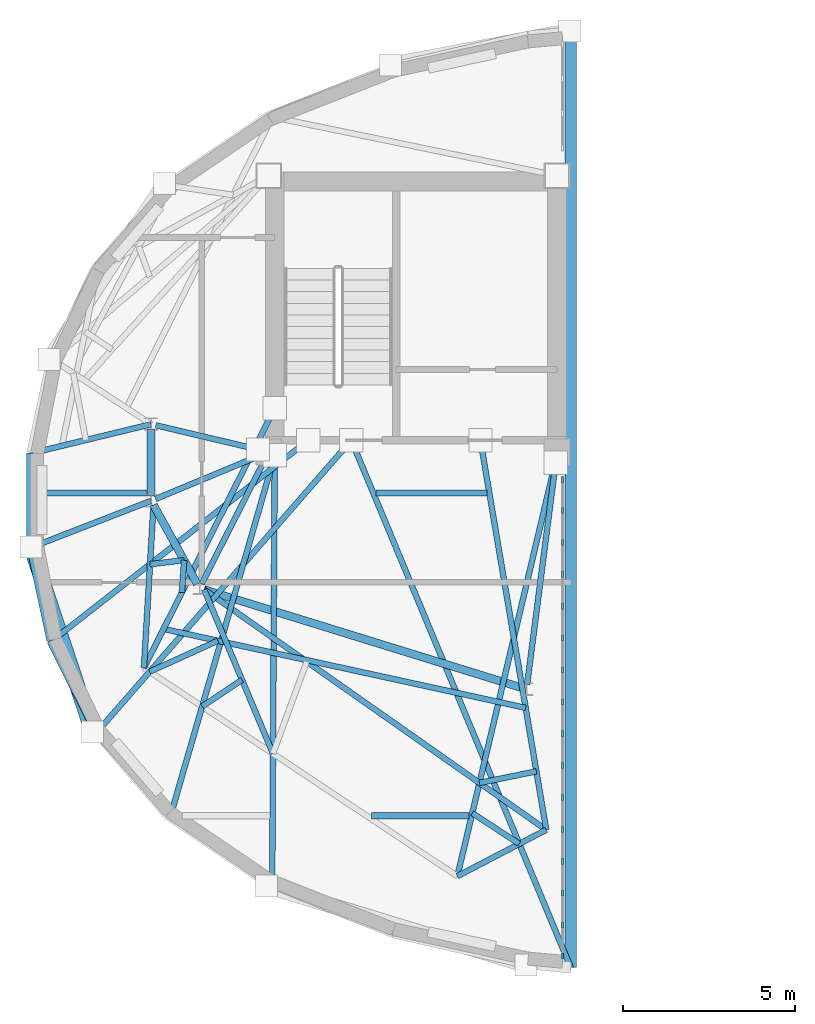
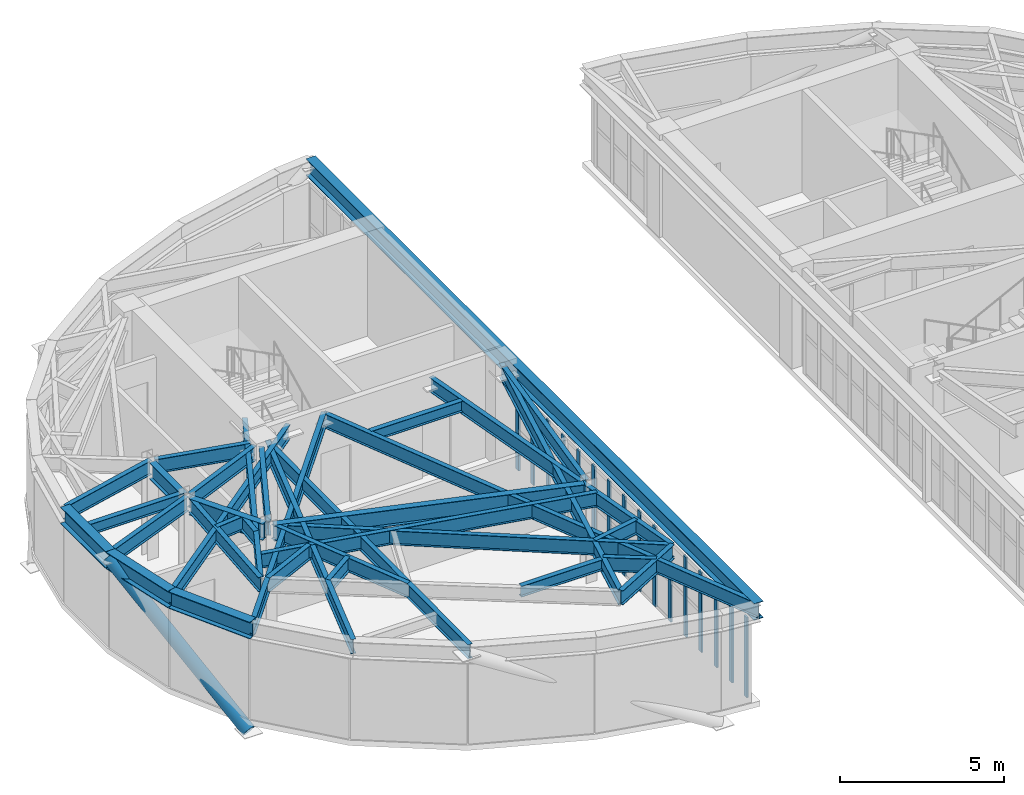
# One storey, part 2 of 13: 35 beams, 17 members, 1 element without a shape of its own.
"""IFC4 building model written with IfcOpenShell, lengths in metres."""

from ifc_helpers import new_model, si_unit, direction, frame, origin, origin_2d, place, context, subcontext, project, spatial, rectangle, hollow_circle, i_section, extrude, material, layer, layer_set, material_profile, profile_set, type_object, element, aggregate, save


model = new_model("IFC4")

# Units and contexts
model_context = context("Model", 3, precision=1e-05, world=origin(), true_north=direction((0.0, 1.0)))
body_context = subcontext(model_context, "Body", "Model", "MODEL_VIEW")
ifc_project = project(units=[si_unit("LENGTHUNIT", "METRE"), si_unit("AREAUNIT", "SQUARE_METRE"), si_unit("VOLUMEUNIT", "CUBIC_METRE"), si_unit("PLANEANGLEUNIT", "RADIAN"), si_unit("MASSUNIT", "GRAM", prefix="KILO")], contexts=[model_context])

# Site, building, storey
site_placement = place(None, origin())
site = spatial("IfcSite", under=ifc_project, at=site_placement, CompositionType="ELEMENT")
building_placement = place(site_placement, origin())
building = spatial("IfcBuilding", under=site, at=building_placement, Name="Keldmark Tower", CompositionType="ELEMENT")
storey_placement = place(building_placement, frame((0.0, 0.0, 273.0)))
storey = spatial("IfcBuildingStorey", under=building, at=storey_placement, Name="L77", CompositionType="ELEMENT", Elevation=273.0)

# Beams
ifc_material_1 = material(Name="Steel ASTM A992 Grade 50", Category="steel")
ifc_material_profile_1 = material_profile(ifc_material_1, i_section(OverallWidth=0.177978515625, OverallDepth=0.403076171875, WebThickness=0.007568359375, FlangeThickness=0.010986328125, at=origin_2d()), Name="W16X36")
ifc_profile_set_1 = profile_set([ifc_material_profile_1], Name="Steel ASTM A992 Grade 50")
beam_type_1 = type_object("IfcBeamType", Name="Composite Floor Joist W16X36", PredefinedType="JOIST", material=ifc_profile_set_1)
beam_1_placement = place(storey_placement, frame((-10.613037109375, -9.199951171875, 3.3984375), z_axis=(1.0, 0.0, 0.0), x_axis=(0.0, 1.0, 0.0)))
element("IfcBeam", 1, at=beam_1_placement, inside=storey, type_object=beam_type_1, Name="L77 Composite Floor Joist J05", PredefinedType="JOIST", context=body_context, shape_type="SweptSolid", body=[
    extrude(i_section(OverallWidth=0.177978515625, OverallDepth=0.403076171875, WebThickness=0.007568359375, FlangeThickness=0.010986328125, at=origin_2d()), origin(), (0.0, 0.0, 1.0), 2.847900390625),
])
beam_2_placement = place(storey_placement, frame((-20.33447265625, 0.199951171875, 3.3984375), z_axis=(1.0, 0.0, 0.0), x_axis=(0.0, 1.0, 0.0)))
element("IfcBeam", 2, at=beam_2_placement, inside=storey, type_object=beam_type_1, Name="L77 Composite Floor Joist J06", PredefinedType="JOIST", context=body_context, shape_type="SweptSolid", body=[
    extrude(i_section(OverallWidth=0.177978515625, OverallDepth=0.403076171875, WebThickness=0.007568359375, FlangeThickness=0.010986328125, at=origin_2d()), origin(), (0.0, 0.0, 1.0), 3.203857421875),
])
beam_3_placement = place(storey_placement, frame((-10.470458984375, 0.199951171875, 3.3984375), z_axis=(1.0, 0.0, 0.0), x_axis=(0.0, 1.0, 0.0)))
element("IfcBeam", 3, at=beam_3_placement, inside=storey, type_object=beam_type_1, Name="L77 Composite Floor Joist J07", PredefinedType="JOIST", context=body_context, shape_type="SweptSolid", body=[
    extrude(i_section(OverallWidth=0.177978515625, OverallDepth=0.403076171875, WebThickness=0.007568359375, FlangeThickness=0.010986328125, at=origin_2d()), origin(), (0.0, 0.0, 1.0), 3.222412109375),
])

# Member
ifc_material_2 = material(Name="Steel ASTM A572 Grade 50", Category="steel")
ifc_material_profile_2 = material_profile(ifc_material_2, hollow_circle(Radius=0.22509765625, WallThickness=0.02197265625, at=origin_2d()), Name="CHS450X22")
ifc_profile_set_2 = profile_set([ifc_material_profile_2], Name="Steel ASTM A572 Grade 50")
member_type_1 = type_object("IfcMemberType", Name="Crown Frame Brace CHS450X22", PredefinedType="USERDEFINED", material=ifc_profile_set_2)
member_1_placement = place(storey_placement, frame((-18.736328125, -6.7578125, -0.449951171875), z_axis=(-0.261880141943, 0.788996947963, 0.555790074903), x_axis=(-0.949086281616, -0.315016237752, 0.0)))
element("IfcMember", 4, at=member_1_placement, inside=storey, type_object=member_type_1, Name="L77 Crown Frame Diagonal W04", ObjectType="CROWN FRAME", PredefinedType="USERDEFINED", context=body_context, shape_type="SweptSolid", body=[
    extrude(hollow_circle(Radius=0.22509765625, WallThickness=0.02197265625, at=origin_2d()), origin(), (0.0, 0.0, 1.0), 6.837158203125),
])

# Curtain wall, members
ifc_material_3 = material(Name="Unitized Thermally Broken Aluminum and Triple Low-E Glazing", Category="aluminium")
ifc_layer = layer(ifc_material_3, 0.219970703125)
ifc_layer_set = layer_set([ifc_layer], Name="Unitized Thermally Broken Aluminum and Triple Low-E Glazing")
curtain_wall_type = type_object("IfcCurtainWallType", Name="Split-Top Crown Lantern Curtain Wall System", PredefinedType="NOTDEFINED", material=ifc_layer_set)
curtain_wall_placement = place(storey_placement, origin())
curtain_wall = element("IfcCurtainWall", 5, at=curtain_wall_placement, inside=storey, type_object=curtain_wall_type, Name="L77 Split-Top Crown Lantern Curtain Wall System CW-L77-WS14-0", PredefinedType="NOTDEFINED")
ifc_material_4 = material(Name="Extruded Aluminum Alloy 6063-T6", Category="aluminium")
ifc_material_profile_3 = material_profile(ifc_material_4, rectangle(XDim=0.06005859375, YDim=0.179931640625, at=origin_2d()), Name="CWM60X180")
ifc_profile_set_3 = profile_set([ifc_material_profile_3], Name="Extruded Aluminum Alloy 6063-T6")
member_type_2 = type_object("IfcMemberType", Name="Curtain Wall Structural Mullion 60x180", PredefinedType="MULLION", material=ifc_profile_set_3)
member_2_placement = place(storey_placement, frame((-5.0400390625, -13.281982421875, 0.0), z_axis=(0.0, 0.0, 1.0), x_axis=(-1.0, 0.0, 0.0)))
member_2 = element("IfcMember", 6, at=member_2_placement, type_object=member_type_2, Name="CW mullion 1", PredefinedType="MULLION", context=body_context, shape_type="SweptSolid", body=[
    extrude(rectangle(XDim=0.06005859375, YDim=0.179931640625, at=origin_2d()), origin(), (0.0, 0.0, 1.0), 2.966064453125),
])
member_3_placement = place(storey_placement, frame((-5.0400390625, -12.383056640625, 0.0), z_axis=(0.0, 0.0, 1.0), x_axis=(-1.0, 0.0, 0.0)))
member_3 = element("IfcMember", 7, at=member_3_placement, type_object=member_type_2, Name="CW mullion 2", PredefinedType="MULLION", context=body_context, shape_type="SweptSolid", body=[
    extrude(rectangle(XDim=0.06005859375, YDim=0.179931640625, at=origin_2d()), origin(), (0.0, 0.0, 1.0), 2.966064453125),
])
member_4_placement = place(storey_placement, frame((-5.0400390625, -11.4541015625, 0.0), z_axis=(0.0, 0.0, 1.0), x_axis=(-1.0, 0.0, 0.0)))
member_4 = element("IfcMember", 8, at=member_4_placement, type_object=member_type_2, Name="CW mullion 3", PredefinedType="MULLION", context=body_context, shape_type="SweptSolid", body=[
    extrude(rectangle(XDim=0.06005859375, YDim=0.179931640625, at=origin_2d()), origin(), (0.0, 0.0, 1.0), 2.966064453125),
])
member_5_placement = place(storey_placement, frame((-5.0400390625, -10.525390625, 0.0), z_axis=(0.0, 0.0, 1.0), x_axis=(-1.0, 0.0, 0.0)))
member_5 = element("IfcMember", 9, at=member_5_placement, type_object=member_type_2, Name="CW mullion 4", PredefinedType="MULLION", context=body_context, shape_type="SweptSolid", body=[
    extrude(rectangle(XDim=0.06005859375, YDim=0.179931640625, at=origin_2d()), origin(), (0.0, 0.0, 1.0), 2.966064453125),
])
member_6_placement = place(storey_placement, frame((-5.0400390625, -9.596435546875, 0.0), z_axis=(0.0, 0.0, 1.0), x_axis=(-1.0, 0.0, 0.0)))
member_6 = element("IfcMember", 10, at=member_6_placement, type_object=member_type_2, Name="CW mullion 5", PredefinedType="MULLION", context=body_context, shape_type="SweptSolid", body=[
    extrude(rectangle(XDim=0.06005859375, YDim=0.179931640625, at=origin_2d()), origin(), (0.0, 0.0, 1.0), 2.966064453125),
])
member_7_placement = place(storey_placement, frame((-5.0400390625, -8.66748046875, 0.0), z_axis=(0.0, 0.0, 1.0), x_axis=(-1.0, 0.0, 0.0)))
member_7 = element("IfcMember", 11, at=member_7_placement, type_object=member_type_2, Name="CW mullion 6", PredefinedType="MULLION", context=body_context, shape_type="SweptSolid", body=[
    extrude(rectangle(XDim=0.06005859375, YDim=0.179931640625, at=origin_2d()), origin(), (0.0, 0.0, 1.0), 2.966064453125),
])
member_8_placement = place(storey_placement, frame((-5.0400390625, -7.738525390625, 0.0), z_axis=(0.0, 0.0, 1.0), x_axis=(-1.0, 0.0, 0.0)))
member_8 = element("IfcMember", 12, at=member_8_placement, type_object=member_type_2, Name="CW mullion 7", PredefinedType="MULLION", context=body_context, shape_type="SweptSolid", body=[
    extrude(rectangle(XDim=0.06005859375, YDim=0.179931640625, at=origin_2d()), origin(), (0.0, 0.0, 1.0), 2.966064453125),
])
member_9_placement = place(storey_placement, frame((-5.0400390625, -6.809814453125, 0.0), z_axis=(0.0, 0.0, 1.0), x_axis=(-1.0, 0.0, 0.0)))
member_9 = element("IfcMember", 13, at=member_9_placement, type_object=member_type_2, Name="CW mullion 8", PredefinedType="MULLION", context=body_context, shape_type="SweptSolid", body=[
    extrude(rectangle(XDim=0.06005859375, YDim=0.179931640625, at=origin_2d()), origin(), (0.0, 0.0, 1.0), 2.966064453125),
])
member_10_placement = place(storey_placement, frame((-5.0400390625, -5.880859375, 0.0), z_axis=(0.0, 0.0, 1.0), x_axis=(-1.0, 0.0, 0.0)))
member_10 = element("IfcMember", 14, at=member_10_placement, type_object=member_type_2, Name="CW mullion 9", PredefinedType="MULLION", context=body_context, shape_type="SweptSolid", body=[
    extrude(rectangle(XDim=0.06005859375, YDim=0.179931640625, at=origin_2d()), origin(), (0.0, 0.0, 1.0), 2.966064453125),
])
member_11_placement = place(storey_placement, frame((-5.0400390625, -4.951904296875, 0.0), z_axis=(0.0, 0.0, 1.0), x_axis=(-1.0, 0.0, 0.0)))
member_11 = element("IfcMember", 15, at=member_11_placement, type_object=member_type_2, Name="CW mullion 10", PredefinedType="MULLION", context=body_context, shape_type="SweptSolid", body=[
    extrude(rectangle(XDim=0.06005859375, YDim=0.179931640625, at=origin_2d()), origin(), (0.0, 0.0, 1.0), 2.966064453125),
])
member_12_placement = place(storey_placement, frame((-5.0400390625, -4.02294921875, 0.0), z_axis=(0.0, 0.0, 1.0), x_axis=(-1.0, 0.0, 0.0)))
member_12 = element("IfcMember", 16, at=member_12_placement, type_object=member_type_2, Name="CW mullion 11", PredefinedType="MULLION", context=body_context, shape_type="SweptSolid", body=[
    extrude(rectangle(XDim=0.06005859375, YDim=0.179931640625, at=origin_2d()), origin(), (0.0, 0.0, 1.0), 2.966064453125),
])
member_13_placement = place(storey_placement, frame((-5.0400390625, -3.093994140625, 0.0), z_axis=(0.0, 0.0, 1.0), x_axis=(-1.0, 0.0, 0.0)))
member_13 = element("IfcMember", 17, at=member_13_placement, type_object=member_type_2, Name="CW mullion 12", PredefinedType="MULLION", context=body_context, shape_type="SweptSolid", body=[
    extrude(rectangle(XDim=0.06005859375, YDim=0.179931640625, at=origin_2d()), origin(), (0.0, 0.0, 1.0), 2.966064453125),
])
member_14_placement = place(storey_placement, frame((-5.0400390625, -2.165283203125, 0.0), z_axis=(0.0, 0.0, 1.0), x_axis=(-1.0, 0.0, 0.0)))
member_14 = element("IfcMember", 18, at=member_14_placement, type_object=member_type_2, Name="CW mullion 13", PredefinedType="MULLION", context=body_context, shape_type="SweptSolid", body=[
    extrude(rectangle(XDim=0.06005859375, YDim=0.179931640625, at=origin_2d()), origin(), (0.0, 0.0, 1.0), 2.966064453125),
])
member_15_placement = place(storey_placement, frame((-5.0400390625, -1.236328125, 0.0), z_axis=(0.0, 0.0, 1.0), x_axis=(-1.0, 0.0, 0.0)))
member_15 = element("IfcMember", 19, at=member_15_placement, type_object=member_type_2, Name="CW mullion 14", PredefinedType="MULLION", context=body_context, shape_type="SweptSolid", body=[
    extrude(rectangle(XDim=0.06005859375, YDim=0.179931640625, at=origin_2d()), origin(), (0.0, 0.0, 1.0), 2.966064453125),
])
member_16_placement = place(storey_placement, frame((-5.0400390625, -0.307373046875, 0.0), z_axis=(0.0, 0.0, 1.0), x_axis=(-1.0, 0.0, 0.0)))
member_16 = element("IfcMember", 20, at=member_16_placement, type_object=member_type_2, Name="CW mullion 15", PredefinedType="MULLION", context=body_context, shape_type="SweptSolid", body=[
    extrude(rectangle(XDim=0.06005859375, YDim=0.179931640625, at=origin_2d()), origin(), (0.0, 0.0, 1.0), 2.966064453125),
])
member_17_placement = place(storey_placement, frame((-5.0400390625, 0.591552734375, 0.0), z_axis=(0.0, 0.0, 1.0), x_axis=(-1.0, 0.0, 0.0)))
member_17 = element("IfcMember", 21, at=member_17_placement, type_object=member_type_2, Name="CW mullion 16", PredefinedType="MULLION", context=body_context, shape_type="SweptSolid", body=[
    extrude(rectangle(XDim=0.06005859375, YDim=0.179931640625, at=origin_2d()), origin(), (0.0, 0.0, 1.0), 2.966064453125),
])
aggregate(curtain_wall, [member_2, member_3, member_4, member_5, member_6, member_7, member_8, member_9, member_10, member_11, member_12, member_13, member_14, member_15, member_16, member_17])

# Beams
ifc_material_5 = material(Name="Steel ASTM A992 Grade 50", Category="steel")
ifc_material_profile_4 = material_profile(ifc_material_5, i_section(OverallWidth=0.22802734375, OverallDepth=0.60302734375, WebThickness=0.010498046875, FlangeThickness=0.014892578125, at=origin_2d()), Name="W24X68")
ifc_profile_set_4 = profile_set([ifc_material_profile_4], Name="Steel ASTM A992 Grade 50")
beam_type_2 = type_object("IfcBeamType", Name="Primary Floor Girder W24X68", PredefinedType="BEAM", material=ifc_profile_set_4)
beam_4_placement = place(storey_placement, frame((-17.025634765625, 2.068115234375, 3.298583984375), z_axis=(0.0, -1.0, 0.0), x_axis=(1.0, 0.0, 0.0)))
element("IfcBeam", 22, at=beam_4_placement, inside=storey, type_object=beam_type_2, Name="L77 Floor Ring Girder FG-R02", PredefinedType="BEAM", context=body_context, shape_type="SweptSolid", body=[
    extrude(i_section(OverallWidth=0.22802734375, OverallDepth=0.60302734375, WebThickness=0.010498046875, FlangeThickness=0.014892578125, at=origin_2d()), origin(), (0.0, 0.0, 1.0), 1.9521484375),
])
beam_5_placement = place(storey_placement, frame((-16.957763671875, -0.146484375, 3.298583984375), z_axis=(0.484719680408, -0.874669555561, 0.0), x_axis=(0.874669555561, 0.484719680408, 0.0)))
element("IfcBeam", 23, at=beam_5_placement, inside=storey, type_object=beam_type_2, Name="L77 Floor Ring Girder FG-R03", PredefinedType="BEAM", context=body_context, shape_type="SweptSolid", body=[
    extrude(i_section(OverallWidth=0.22802734375, OverallDepth=0.60302734375, WebThickness=0.010498046875, FlangeThickness=0.014892578125, at=origin_2d()), origin(), (0.0, 0.0, 1.0), 2.627685546875),
])
beam_6_placement = place(storey_placement, frame((-15.482421875, -2.60888671875, 3.298583984375), z_axis=(0.955383255089, -0.295368982622, 0.0), x_axis=(0.295368982622, 0.955383255089, 0.0)))
element("IfcBeam", 24, at=beam_6_placement, inside=storey, type_object=beam_type_2, Name="L77 Floor Ring Girder FG-R04", PredefinedType="BEAM", context=body_context, shape_type="SweptSolid", body=[
    extrude(i_section(OverallWidth=0.22802734375, OverallDepth=0.60302734375, WebThickness=0.010498046875, FlangeThickness=0.014892578125, at=origin_2d()), origin(), (0.0, 0.0, 1.0), 9.69140625),
])
ifc_material_6 = material(Name="Steel ASTM A992 Grade 50", Category="steel")
ifc_material_profile_5 = material_profile(ifc_material_6, i_section(OverallWidth=0.166015625, OverallDepth=0.529052734375, WebThickness=0.009765625, FlangeThickness=0.013671875, at=origin_2d()), Name="W21X50")
ifc_profile_set_5 = profile_set([ifc_material_profile_5], Name="Steel ASTM A992 Grade 50")
beam_type_3 = type_object("IfcBeamType", Name="Radial Tie Girder W21X50", PredefinedType="BEAM", material=ifc_profile_set_5)
beam_7_placement = place(storey_placement, frame((-16.889404296875, 2.17578125, 3.33544921875), z_axis=(0.97329039005, -0.229577474147, 0.0), x_axis=(0.229577474147, 0.97329039005, 0.0)))
element("IfcBeam", 25, at=beam_7_placement, inside=storey, type_object=beam_type_3, Name="L77 Floor Radial Girder FG-C06", PredefinedType="BEAM", context=body_context, shape_type="SweptSolid", body=[
    extrude(i_section(OverallWidth=0.166015625, OverallDepth=0.529052734375, WebThickness=0.009765625, FlangeThickness=0.013671875, at=origin_2d()), origin(), (0.0, 0.0, 1.0), 3.0595703125),
])
beam_8_placement = place(storey_placement, frame((-16.896240234375, 0.02978515625, 3.33544921875), z_axis=(0.923403331902, 0.383831065226, 0.0), x_axis=(-0.383831065226, 0.923403331902, 0.0)))
element("IfcBeam", 26, at=beam_8_placement, inside=storey, type_object=beam_type_3, Name="L77 Floor Radial Girder FG-C07", PredefinedType="BEAM", context=body_context, shape_type="SweptSolid", body=[
    extrude(i_section(OverallWidth=0.166015625, OverallDepth=0.529052734375, WebThickness=0.009765625, FlangeThickness=0.013671875, at=origin_2d()), origin(), (0.0, 0.0, 1.0), 3.249755859375),
])
beam_9_placement = place(storey_placement, frame((-15.552734375, -2.442626953125, 3.33544921875), z_axis=(0.453004410574, 0.89150827478, 0.0), x_axis=(-0.89150827478, 0.453004410574, 0.0)))
element("IfcBeam", 27, at=beam_9_placement, inside=storey, type_object=beam_type_3, Name="L77 Floor Radial Girder FG-C08", PredefinedType="BEAM", context=body_context, shape_type="SweptSolid", body=[
    extrude(i_section(OverallWidth=0.166015625, OverallDepth=0.529052734375, WebThickness=0.009765625, FlangeThickness=0.013671875, at=origin_2d()), origin(), (0.0, 0.0, 1.0), 3.990234375),
])
beam_10_placement = place(storey_placement, frame((-6.071533203125, -5.3740234375, 3.33544921875), z_axis=(0.127625044513, 0.991822488157, 0.0), x_axis=(-0.991822488157, 0.127625044513, 0.0)))
element("IfcBeam", 28, at=beam_10_placement, inside=storey, type_object=beam_type_3, Name="L77 Floor Radial Girder FG-C09", PredefinedType="BEAM", context=body_context, shape_type="SweptSolid", body=[
    extrude(i_section(OverallWidth=0.166015625, OverallDepth=0.529052734375, WebThickness=0.009765625, FlangeThickness=0.013671875, at=origin_2d()), origin(), (0.0, 0.0, 1.0), 6.509765625),
])
beam_11_placement = place(storey_placement, frame((-16.066162109375, -1.75537109375, 3.33544921875), z_axis=(-0.069006097299, -0.997616238107, 0.0), x_axis=(0.997616238107, -0.069006097299, 0.0)))
element("IfcBeam", 29, at=beam_11_placement, inside=storey, type_object=beam_type_3, Name="L77 Framing Pin Header PH-013", PredefinedType="BEAM", context=body_context, shape_type="SweptSolid", body=[
    extrude(i_section(OverallWidth=0.166015625, OverallDepth=0.529052734375, WebThickness=0.009765625, FlangeThickness=0.013671875, at=origin_2d()), origin(), (0.0, 0.0, 1.0), 0.944580078125),
])
beam_12_placement = place(storey_placement, frame((-13.425048828125, 2.675048828125, 3.33544921875), z_axis=(-0.449840151176, -0.893109085381, 0.0), x_axis=(0.893109085381, -0.449840151176, 0.0)))
element("IfcBeam", 30, at=beam_12_placement, inside=storey, type_object=beam_type_3, Name="L77 Intermediate Radial Step Girder CRT-W05M", PredefinedType="BEAM", context=body_context, shape_type="SweptSolid", body=[
    extrude(i_section(OverallWidth=0.166015625, OverallDepth=0.529052734375, WebThickness=0.009765625, FlangeThickness=0.013671875, at=origin_2d()), origin(), (0.0, 0.0, 1.0), 8.470947265625),
])
beam_13_placement = place(storey_placement, frame((-16.957763671875, -0.146484375, 3.33544921875), z_axis=(-0.058466025213, -0.99828939887, 0.0), x_axis=(0.99828939887, -0.058466025213, 0.0)))
element("IfcBeam", 31, at=beam_13_placement, inside=storey, type_object=beam_type_3, Name="L77 Local Collector Chord CRT-W05C", PredefinedType="BEAM", context=body_context, shape_type="SweptSolid", body=[
    extrude(i_section(OverallWidth=0.166015625, OverallDepth=0.529052734375, WebThickness=0.009765625, FlangeThickness=0.013671875, at=origin_2d()), origin(), (0.0, 0.0, 1.0), 4.751953125),
])
beam_14_placement = place(storey_placement, frame((-16.066162109375, -1.75537109375, 3.33544921875), z_axis=(-0.993465542387, -0.114132449765, 0.0), x_axis=(0.114132449765, -0.993465542387, 0.0)))
element("IfcBeam", 32, at=beam_14_placement, inside=storey, type_object=beam_type_3, Name="L77 Framing Pin Header PH-014", PredefinedType="BEAM", context=body_context, shape_type="SweptSolid", body=[
    extrude(i_section(OverallWidth=0.166015625, OverallDepth=0.529052734375, WebThickness=0.009765625, FlangeThickness=0.013671875, at=origin_2d()), origin(), (0.0, 0.0, 1.0), 0.9990234375),
])
beam_15_placement = place(storey_placement, frame((-12.4462890625, 1.739990234375, 3.33544921875), z_axis=(-0.787517514542, -0.616292271808, 0.0), x_axis=(0.616292271808, -0.787517514542, 0.0)))
element("IfcBeam", 33, at=beam_15_placement, inside=storey, type_object=beam_type_3, Name="L77 Perimeter Radial Tie Girder CRT-W06", PredefinedType="BEAM", context=body_context, shape_type="SweptSolid", body=[
    extrude(i_section(OverallWidth=0.166015625, OverallDepth=0.529052734375, WebThickness=0.009765625, FlangeThickness=0.013671875, at=origin_2d()), origin(), (0.0, 0.0, 1.0), 9.468994140625),
])
beam_16_placement = place(storey_placement, frame((-17.025634765625, -0.02392578125, 3.33544921875), z_axis=(-0.932177211509, -0.362002273947, 0.0), x_axis=(0.362002273947, -0.932177211509, 0.0)))
element("IfcBeam", 34, at=beam_16_placement, inside=storey, type_object=beam_type_3, Name="L77 Perimeter Column Bracket CRT-W07", PredefinedType="BEAM", context=body_context, shape_type="SweptSolid", body=[
    extrude(i_section(OverallWidth=0.166015625, OverallDepth=0.529052734375, WebThickness=0.009765625, FlangeThickness=0.013671875, at=origin_2d()), origin(), (0.0, 0.0, 1.0), 3.71533203125),
])
beam_17_placement = place(storey_placement, frame((-17.025634765625, 2.2080078125, 3.33544921875), z_axis=(-0.971881945313, -0.235468648389, 0.0), x_axis=(0.235468648389, -0.971881945313, 0.0)))
element("IfcBeam", 35, at=beam_17_placement, inside=storey, type_object=beam_type_3, Name="L77 Perimeter Column Bracket CRT-W08", PredefinedType="BEAM", context=body_context, shape_type="SweptSolid", body=[
    extrude(i_section(OverallWidth=0.166015625, OverallDepth=0.529052734375, WebThickness=0.009765625, FlangeThickness=0.013671875, at=origin_2d()), origin(), (0.0, 0.0, 1.0), 3.5634765625),
])
beam_18_placement = place(storey_placement, frame((-16.6640625, -3.755615234375, 3.33544921875), z_axis=(0.977036563392, -0.21307171045, 0.0), x_axis=(0.21307171045, 0.977036563392, 0.0)))
element("IfcBeam", 36, at=beam_18_placement, inside=storey, type_object=beam_type_3, Name="L77 Framing Pin Header PH-017", PredefinedType="BEAM", context=body_context, shape_type="SweptSolid", body=[
    extrude(i_section(OverallWidth=0.166015625, OverallDepth=0.529052734375, WebThickness=0.009765625, FlangeThickness=0.013671875, at=origin_2d()), origin(), (0.0, 0.0, 1.0), 10.797119140625),
])
beam_19_placement = place(storey_placement, frame((-7.43212890625, 1.739990234375, 3.33544921875), z_axis=(0.166596568277, -0.986025143411, 0.0), x_axis=(0.986025143411, 0.166596568277, 0.0)))
element("IfcBeam", 37, at=beam_19_placement, inside=storey, type_object=beam_type_3, Name="L77 Crown Step Radial Girder CRT-W01RN1", PredefinedType="BEAM", context=body_context, shape_type="SweptSolid", body=[
    extrude(i_section(OverallWidth=0.166015625, OverallDepth=0.529052734375, WebThickness=0.009765625, FlangeThickness=0.013671875, at=origin_2d()), origin(), (0.0, 0.0, 1.0), 11.509765625),
])
beam_20_placement = place(storey_placement, frame((-5.5146484375, -9.60888671875, 3.33544921875), z_axis=(-0.81836087487, 0.574704688064, 0.0), x_axis=(-0.574704688064, -0.81836087487, 0.0)))
element("IfcBeam", 38, at=beam_20_placement, inside=storey, type_object=beam_type_3, Name="L77 Crown Step Collector Chord CRT-W01RP1", PredefinedType="BEAM", context=body_context, shape_type="SweptSolid", body=[
    extrude(i_section(OverallWidth=0.166015625, OverallDepth=0.529052734375, WebThickness=0.009765625, FlangeThickness=0.013671875, at=origin_2d()), origin(), (0.0, 0.0, 1.0), 12.18017578125),
])
beam_21_placement = place(storey_placement, frame((-5.80224609375, -7.906494140625, 3.33544921875), z_axis=(-0.98012866335, -0.198362807198, 0.0), x_axis=(0.198362807198, -0.98012866335, 0.0)))
element("IfcBeam", 39, at=beam_21_placement, inside=storey, type_object=beam_type_3, Name="L77 Framing Pin Header PH-018", PredefinedType="BEAM", context=body_context, shape_type="SweptSolid", body=[
    extrude(i_section(OverallWidth=0.166015625, OverallDepth=0.529052734375, WebThickness=0.009765625, FlangeThickness=0.013671875, at=origin_2d()), origin(), (0.0, 0.0, 1.0), 1.6923828125),
])
beam_22_placement = place(storey_placement, frame((-5.199951171875, 1.300048828125, 3.33544921875), z_axis=(-0.230562948424, -0.97305741188, 0.0), x_axis=(0.97305741188, -0.230562948424, 0.0)))
element("IfcBeam", 40, at=beam_22_placement, inside=storey, type_object=beam_type_3, Name="L77 Crown Step Radial Girder CRT-W02RN1", PredefinedType="BEAM", context=body_context, shape_type="SweptSolid", body=[
    extrude(i_section(OverallWidth=0.166015625, OverallDepth=0.529052734375, WebThickness=0.009765625, FlangeThickness=0.013671875, at=origin_2d()), origin(), (0.0, 0.0, 1.0), 12.599609375),
])
beam_23_placement = place(storey_placement, frame((-8.10498046875, -10.960205078125, 3.33544921875), z_axis=(0.886607194913, 0.462523169071, 0.0), x_axis=(-0.462523169071, 0.886607194913, 0.0)))
element("IfcBeam", 41, at=beam_23_placement, inside=storey, type_object=beam_type_3, Name="L77 Crown Step Collector Chord CRT-W02RP1", PredefinedType="BEAM", context=body_context, shape_type="SweptSolid", body=[
    extrude(i_section(OverallWidth=0.166015625, OverallDepth=0.529052734375, WebThickness=0.009765625, FlangeThickness=0.013671875, at=origin_2d()), origin(), (0.0, 0.0, 1.0), 2.921630859375),
])
beam_24_placement = place(storey_placement, frame((-13.425048828125, 1.300048828125, 3.33544921875), z_axis=(-0.005918331686, -0.999982486522, 0.0), x_axis=(0.999982486522, -0.005918331686, 0.0)))
element("IfcBeam", 42, at=beam_24_placement, inside=storey, type_object=beam_type_3, Name="L77 Perimeter Radial Tie Girder CRT-W03R", PredefinedType="BEAM", context=body_context, shape_type="SweptSolid", body=[
    extrude(i_section(OverallWidth=0.166015625, OverallDepth=0.529052734375, WebThickness=0.009765625, FlangeThickness=0.013671875, at=origin_2d()), origin(), (0.0, 0.0, 1.0), 12.4580078125),
])
beam_25_placement = place(storey_placement, frame((-15.482421875, -2.60888671875, 3.33544921875), z_axis=(0.386928214701, -0.922109839807, 0.0), x_axis=(0.922109839807, 0.386928214701, 0.0)))
element("IfcBeam", 43, at=beam_25_placement, inside=storey, type_object=beam_type_3, Name="L77 Straddling Support Chord CRT-W04RB", PredefinedType="BEAM", context=body_context, shape_type="SweptSolid", body=[
    extrude(i_section(OverallWidth=0.166015625, OverallDepth=0.529052734375, WebThickness=0.009765625, FlangeThickness=0.013671875, at=origin_2d()), origin(), (0.0, 0.0, 1.0), 5.18408203125),
])
beam_26_placement = place(storey_placement, frame((-14.379150390625, -5.238037109375, 3.33544921875), z_axis=(-0.830462278196, -0.557074864352, 0.0), x_axis=(0.557074864352, -0.830462278196, 0.0)))
element("IfcBeam", 44, at=beam_26_placement, inside=storey, type_object=beam_type_3, Name="L77 Framing Pin Header PH-020", PredefinedType="BEAM", context=body_context, shape_type="SweptSolid", body=[
    extrude(i_section(OverallWidth=0.166015625, OverallDepth=0.529052734375, WebThickness=0.009765625, FlangeThickness=0.013671875, at=origin_2d()), origin(), (0.0, 0.0, 1.0), 1.3984375),
])
beam_27_placement = place(storey_placement, frame((-13.425048828125, 1.300048828125, 3.33544921875), z_axis=(-0.277753093845, -0.960652496411, 0.0), x_axis=(0.960652496411, -0.277753093845, 0.0)))
element("IfcBeam", 45, at=beam_27_placement, inside=storey, type_object=beam_type_3, Name="L77 Perimeter Radial Tie Girder CRT-W04R", PredefinedType="BEAM", context=body_context, shape_type="SweptSolid", body=[
    extrude(i_section(OverallWidth=0.166015625, OverallDepth=0.529052734375, WebThickness=0.009765625, FlangeThickness=0.013671875, at=origin_2d()), origin(), (0.0, 0.0, 1.0), 10.88525390625),
])
beam_28_placement = place(storey_placement, frame((-15.081787109375, -4.1005859375, 3.33544921875), z_axis=(-0.910669060192, -0.413136615188, 0.0), x_axis=(0.413136615188, -0.910669060192, 0.0)))
element("IfcBeam", 46, at=beam_28_placement, inside=storey, type_object=beam_type_3, Name="L77 Framing Pin Header PH-021", PredefinedType="BEAM", context=body_context, shape_type="SweptSolid", body=[
    extrude(i_section(OverallWidth=0.166015625, OverallDepth=0.529052734375, WebThickness=0.009765625, FlangeThickness=0.013671875, at=origin_2d()), origin(), (0.0, 0.0, 1.0), 2.18115234375),
])
beam_29_placement = place(storey_placement, frame((-11.19287109375, 1.739990234375, 3.33544921875), z_axis=(-0.656992208815, -0.7538973654, 0.0), x_axis=(0.7538973654, -0.656992208815, 0.0)))
element("IfcBeam", 47, at=beam_29_placement, inside=storey, type_object=beam_type_3, Name="L77 Perimeter Radial Tie Girder CRT-W05R", PredefinedType="BEAM", context=body_context, shape_type="SweptSolid", body=[
    extrude(i_section(OverallWidth=0.166015625, OverallDepth=0.529052734375, WebThickness=0.009765625, FlangeThickness=0.013671875, at=origin_2d()), origin(), (0.0, 0.0, 1.0), 11.243896484375),
])
beam_30_placement = place(storey_placement, frame((-7.669189453125, -9.12109375, 3.33544921875), z_axis=(0.836270149444, -0.548317642565, 0.0), x_axis=(0.548317642565, 0.836270149444, 0.0)))
element("IfcBeam", 48, at=beam_30_placement, inside=storey, type_object=beam_type_3, Name="L77 Framing Pin Header PH-025", PredefinedType="BEAM", context=body_context, shape_type="SweptSolid", body=[
    extrude(i_section(OverallWidth=0.166015625, OverallDepth=0.529052734375, WebThickness=0.009765625, FlangeThickness=0.013671875, at=origin_2d()), origin(), (0.0, 0.0, 1.0), 1.63720703125),
])
beam_31_placement = place(storey_placement, frame((-11.19287109375, 1.739990234375, 3.33544921875), z_axis=(0.384172591698, -0.923261295511, 0.0), x_axis=(0.923261295511, 0.384172591698, 0.0)))
element("IfcBeam", 49, at=beam_31_placement, inside=storey, type_object=beam_type_3, Name="L77 Perimeter Radial Tie Girder CRT-W16R", PredefinedType="BEAM", context=body_context, shape_type="SweptSolid", body=[
    extrude(i_section(OverallWidth=0.166015625, OverallDepth=0.529052734375, WebThickness=0.009765625, FlangeThickness=0.013671875, at=origin_2d()), origin(), (0.0, 0.0, 1.0), 16.640380859375),
])
ifc_material_7 = material(Name="Steel ASTM A992 Grade 50", Category="steel")
ifc_material_profile_6 = material_profile(ifc_material_7, i_section(OverallWidth=0.326904296875, OverallDepth=0.6220703125, WebThickness=0.015380859375, FlangeThickness=0.0244140625, at=origin_2d()), Name="W24X131")
ifc_profile_set_6 = profile_set([ifc_material_profile_6], Name="Steel ASTM A992 Grade 50")
beam_type_4 = type_object("IfcBeamType", Name="Spandrel Ring Beam W24X131", PredefinedType="SPANDREL", material=ifc_profile_set_6)
beam_32_placement = place(storey_placement, frame((-18.580078125, -6.73681640625, 3.2890625), z_axis=(-0.447940731501, 0.89406325339, 0.0), x_axis=(-0.89406325339, -0.447940731501, 0.0)))
element("IfcBeam", 50, at=beam_32_placement, inside=storey, type_object=beam_type_4, Name="L77 Crown Spandrel Ring Beam CRB-W05", PredefinedType="SPANDREL", context=body_context, shape_type="SweptSolid", body=[
    extrude(i_section(OverallWidth=0.326904296875, OverallDepth=0.6220703125, WebThickness=0.015380859375, FlangeThickness=0.0244140625, at=origin_2d()), origin(), (0.0, 0.0, 1.0), 2.9541015625),
])
beam_33_placement = place(storey_placement, frame((-19.9033203125, -4.095703125, 3.2890625), z_axis=(-0.210001337248, 0.977701098677, 0.0), x_axis=(-0.977701098677, -0.210001337248, 0.0)))
element("IfcBeam", 51, at=beam_33_placement, inside=storey, type_object=beam_type_4, Name="L77 Crown Spandrel Ring Beam CRB-W06", PredefinedType="SPANDREL", context=body_context, shape_type="SweptSolid", body=[
    extrude(i_section(OverallWidth=0.326904296875, OverallDepth=0.6220703125, WebThickness=0.015380859375, FlangeThickness=0.0244140625, at=origin_2d()), origin(), (0.0, 0.0, 1.0), 2.7890625),
])
beam_34_placement = place(storey_placement, frame((-20.489013671875, -1.368896484375, 3.2890625), z_axis=(0.0, 1.0, 0.0), x_axis=(-1.0, 0.0, 0.0)))
element("IfcBeam", 52, at=beam_34_placement, inside=storey, type_object=beam_type_4, Name="L77 Crown Spandrel Ring Beam CRB-W07", PredefinedType="SPANDREL", context=body_context, shape_type="SweptSolid", body=[
    extrude(i_section(OverallWidth=0.326904296875, OverallDepth=0.6220703125, WebThickness=0.015380859375, FlangeThickness=0.0244140625, at=origin_2d()), origin(), (0.0, 0.0, 1.0), 2.73779296875),
])
beam_35_placement = place(storey_placement, frame((-4.800048828125, 13.62353515625, 3.2890625), z_axis=(0.0, -1.0, 0.0), x_axis=(1.0, 0.0, 0.0)))
element("IfcBeam", 53, at=beam_35_placement, inside=storey, type_object=beam_type_4, Name="L77 Crown Spandrel Ring Beam CRB-W15", PredefinedType="SPANDREL", context=body_context, shape_type="SweptSolid", body=[
    extrude(i_section(OverallWidth=0.326904296875, OverallDepth=0.6220703125, WebThickness=0.015380859375, FlangeThickness=0.0244140625, at=origin_2d()), origin(), (0.0, 0.0, 1.0), 27.2470703125),
])

save(model, "model.ifc")
